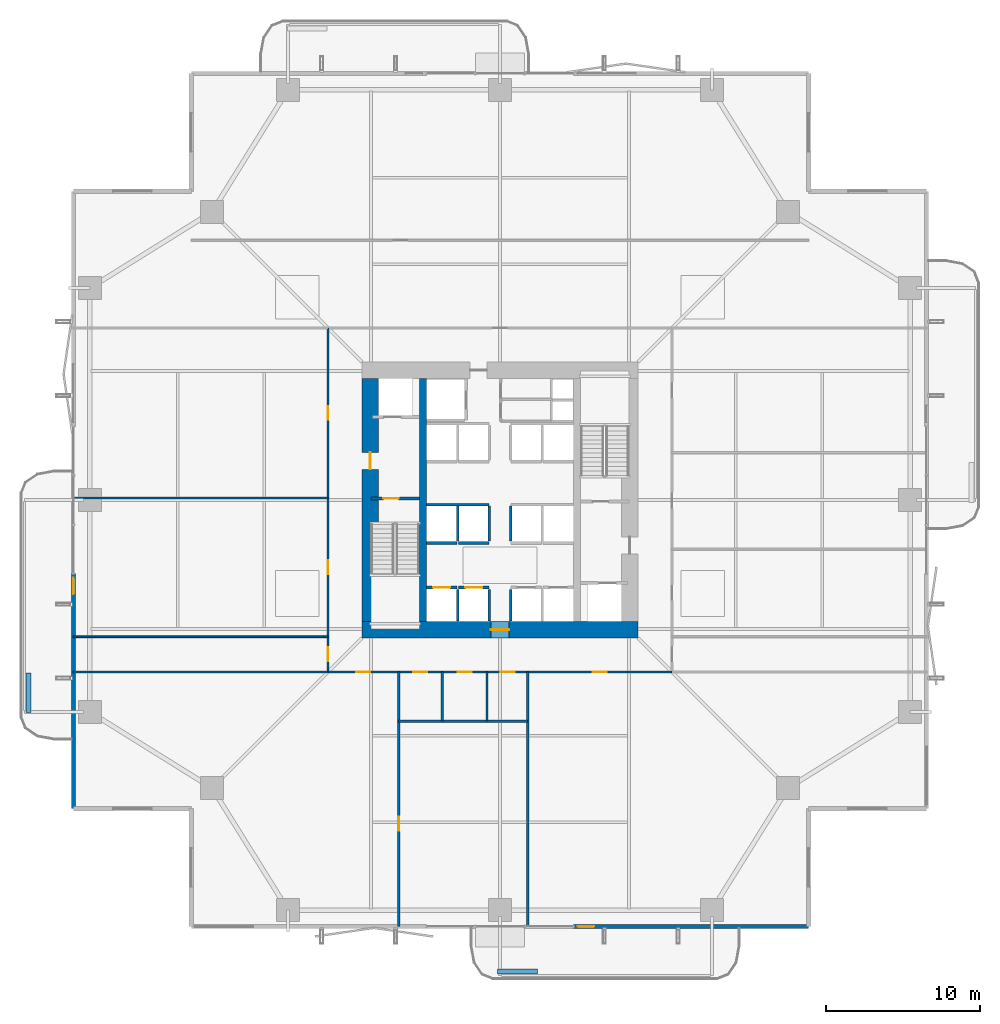
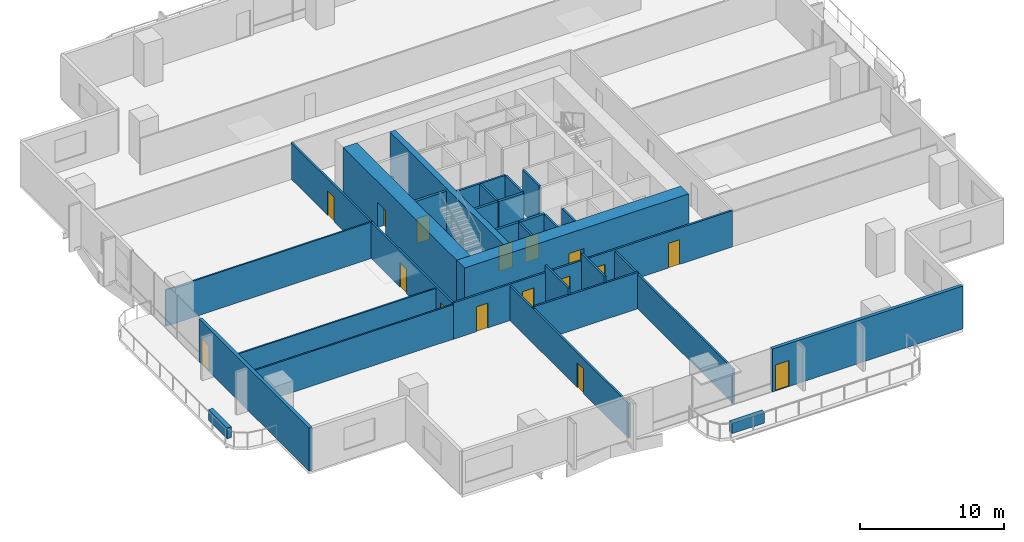
# One storey, part 17 of 24: 29 walls, 16 doors, 16 openings.
"""IFC4 building model written with IfcOpenShell, lengths in metres."""

from ifc_helpers import new_model, si_unit, direction, frame, frame_2d, origin, place, context, subcontext, project, spatial, rectangle, extrude, material, layer, layer_set, type_object, element, fill, save


model = new_model("IFC4")

# Units and contexts
model_context = context("Model", 3, precision=1e-05, world=origin(), true_north=direction((0.0, 1.0)))
body_context = subcontext(model_context, "Body", "Model", "MODEL_VIEW")
ifc_project = project(units=[si_unit("LENGTHUNIT", "METRE"), si_unit("AREAUNIT", "SQUARE_METRE"), si_unit("VOLUMEUNIT", "CUBIC_METRE"), si_unit("PLANEANGLEUNIT", "RADIAN"), si_unit("MASSUNIT", "GRAM", prefix="KILO")], contexts=[model_context])

# Site, building, storey
site_placement = place(None, origin())
site = spatial("IfcSite", under=ifc_project, at=site_placement, CompositionType="ELEMENT")
building_placement = place(site_placement, origin())
building = spatial("IfcBuilding", under=site, at=building_placement, Name="Belovzor Exchange Tower", CompositionType="ELEMENT")
storey_placement = place(building_placement, frame((0.0, 0.0, 92.39990234375)))
storey = spatial("IfcBuildingStorey", under=building, at=storey_placement, Name="L22", CompositionType="ELEMENT", Elevation=92.39990234375)

# Walls
ifc_material_1 = material(Name="Acoustic Plasterboard on Galvanised Studs", Category="gypsum")
ifc_layer_1 = layer(ifc_material_1, 0.1201171875)
ifc_layer_set_1 = layer_set([ifc_layer_1], Name="Acoustic Plasterboard on Galvanised Studs")
wall_type_1 = type_object("IfcWallType", Name="Acoustic Double-Stud Partition Wall 120", PredefinedType="PARTITIONING", material=ifc_layer_set_1)
for number, where, z_axis, x_axis, name in (
    (1, (1.030029296875, 17.60009765625, 0.0), (0.0, 0.0, 1.0), (1.0, 0.0, 0.0), "W-P120 Partition Wall W-L22-END-SW"),
    (2, (1.030029296875, 19.89990234375, 0.0), (0.0, 0.0, 1.0), (1.0, 0.0, 0.0), "W-P120 Partition Wall W-L22-WDIV-1"),
):
    element("IfcWall", number, at=place(storey_placement, frame(where, z_axis=z_axis, x_axis=x_axis)), inside=storey, type_object=wall_type_1, Name=name, PredefinedType="PARTITIONING", context=body_context, shape_type="SweptSolid", body=[
        extrude(rectangle(XDim=16.570068359375, YDim=0.1201171875, at=frame_2d((8.28515625, 0.0))), origin(), (0.0, 0.0, 1.0), 2.93505859375),
    ])
wall_1_placement = place(storey_placement, frame((1.030029296875, 28.929931640625, 0.0), z_axis=(0.0, 0.0, 1.0), x_axis=(1.0, 0.0, 0.0)))
element("IfcWall", 3, at=wall_1_placement, inside=storey, type_object=wall_type_1, Name="W-P120 Partition Wall W-L22-WDIV-2", PredefinedType="PARTITIONING", context=body_context, shape_type="SweptSolid", body=[
    extrude(rectangle(XDim=16.570068359375, YDim=0.1201171875, at=frame_2d((8.28515625, 0.0))), origin(), (0.0, 0.0, 1.0), 3.085205078125),
])
ifc_material_2 = material(Name="Fire-Rated Gypsum Block and Mineral Wool", Category="gypsum")
ifc_layer_2 = layer(ifc_material_2, 0.14990234375)
ifc_layer_set_2 = layer_set([ifc_layer_2], Name="Fire-Rated Gypsum Block and Mineral Wool")
wall_type_2 = type_object("IfcWallType", Name="Fire-Rated Gypsum Block Corridor Wall 150", PredefinedType="PARTITIONING", material=ifc_layer_set_2)
wall_2_placement = place(storey_placement, frame((22.199951171875, 14.39990234375, 0.0), z_axis=(0.0, 0.0, 1.0), x_axis=(1.0, 0.0, 0.0)))
element("IfcWall", 4, at=wall_2_placement, inside=storey, type_object=wall_type_2, Name="W-P150 Partition Wall W-L22-WCS", PredefinedType="PARTITIONING", context=body_context, shape_type="SweptSolid", body=[
    extrude(rectangle(XDim=8.400146484375, YDim=0.14990234375, at=frame_2d((4.2001953125, 0.0))), origin(), (0.0, 0.0, 1.0), 3.085205078125),
])

# Wall, opening, door
wall_3_placement = place(storey_placement, frame((22.199951171875, 1.030029296875, 0.0), z_axis=(0.0, 0.0, 1.0), x_axis=(0.0, 1.0, 0.0)))
wall_3 = element("IfcWall", 5, at=wall_3_placement, inside=storey, type_object=wall_type_2, Name="W-P150 Partition Wall W-L22-WCW", PredefinedType="PARTITIONING", context=body_context, shape_type="SweptSolid", body=[
    extrude(rectangle(XDim=16.570068359375, YDim=0.14990234375, at=frame_2d((8.28515625, 0.0))), origin(), (0.0, 0.0, 1.0), 2.93505859375),
])
opening_1_placement = place(wall_3_placement, frame((6.235107421875, 0.0, 0.0)))
opening_1 = element("IfcOpeningElement", 6, at=opening_1_placement, cuts=wall_3, Name="Opening D-INT-090", PredefinedType="OPENING", context=body_context, shape_type="SweptSolid", body=[
    extrude(rectangle(XDim=0.89990234375, YDim=2.10009765625, at=frame_2d((0.449951171875, 1.050048828125))), frame((0.0, 0.0849609375, 0.0), z_axis=(0.0, -1.0, 0.0), x_axis=(1.0, 0.0, 0.0)), (0.0, 0.0, 1.0), 0.169921875),
])
ifc_material_3 = material(Name="Veneered Hardwood Acoustic Leaf", Category="wood")
door_type_1 = type_object("IfcDoorType", Name="Trading Suite Acoustic Single Door 900x2100", OperationType="NOTDEFINED", PredefinedType="DOOR", material=ifc_material_3)
door_1_placement = place(opening_1_placement, origin())
door_1 = element("IfcDoor", 7, at=door_1_placement, inside=storey, type_object=door_type_1, Name="D-INT-090 Trading Suite Acoustic Single Door 900x2100", OperationType="SINGLE_SWING_LEFT", OverallHeight=2.10009765625, OverallWidth=0.89990234375, PredefinedType="DOOR", context=body_context, shape_type="SweptSolid", body=[
    extrude(rectangle(XDim=0.89990234375, YDim=2.10009765625, at=frame_2d((0.449951171875, 1.050048828125))), frame((0.0, 0.02490234375, 0.0), z_axis=(0.0, -1.0, 0.0), x_axis=(1.0, 0.0, 0.0)), (0.0, 0.0, 1.0), 0.050048828125),
])
fill(opening_1, door_1)

# Walls
wall_4_placement = place(storey_placement, frame((30.60009765625, 1.030029296875, 0.0), z_axis=(0.0, 0.0, 1.0), x_axis=(0.0, 1.0, 0.0)))
element("IfcWall", 8, at=wall_4_placement, inside=storey, type_object=wall_type_2, Name="W-P150 Partition Wall W-L22-WCE", PredefinedType="PARTITIONING", context=body_context, shape_type="SweptSolid", body=[
    extrude(rectangle(XDim=16.570068359375, YDim=0.14990234375, at=frame_2d((8.28515625, 0.0))), origin(), (0.0, 0.0, 1.0), 2.93505859375),
])
for number, where, z_axis, x_axis, name in (
    (9, (25.050048828125, 14.39990234375, 0.0), (0.0, 0.0, 1.0), (0.0, 1.0, 0.0), "W-P150 Partition Wall W-L22-WCD1"),
    (10, (27.949951171875, 14.39990234375, 0.0), (0.0, 0.0, 1.0), (0.0, 1.0, 0.0), "W-P150 Partition Wall W-L22-WCD2"),
):
    element("IfcWall", number, at=place(storey_placement, frame(where, z_axis=z_axis, x_axis=x_axis)), inside=storey, type_object=wall_type_2, Name=name, PredefinedType="PARTITIONING", context=body_context, shape_type="SweptSolid", body=[
        extrude(rectangle(XDim=3.2001953125, YDim=0.14990234375, at=frame_2d((1.60009765625, 0.0))), origin(), (0.0, 0.0, 1.0), 3.650146484375),
    ])

# Wall, openings, doors
wall_5_placement = place(storey_placement, frame((17.60009765625, 17.60009765625, 0.0), z_axis=(0.0, 0.0, 1.0), x_axis=(1.0, 0.0, 0.0)))
wall_5 = element("IfcWall", 11, at=wall_5_placement, inside=storey, type_object=wall_type_2, Name="W-P150 Partition Wall W-L22-CS", PredefinedType="PARTITIONING", context=body_context, shape_type="SweptSolid", body=[
    extrude(rectangle(XDim=22.39990234375, YDim=0.14990234375, at=frame_2d((11.199951171875, 0.0))), origin(), (0.0, 0.0, 1.0), 3.085205078125),
])
opening_2_placement = place(wall_5_placement, frame((1.85009765625, 0.0, 0.0)))
opening_2 = element("IfcOpeningElement", 12, at=opening_2_placement, cuts=wall_5, Name="Opening D-INT-090", PredefinedType="OPENING", context=body_context, shape_type="SweptSolid", body=[
    extrude(rectangle(XDim=0.89990234375, YDim=2.10009765625, at=frame_2d((0.449951171875, 1.050048828125))), frame((0.0, 0.0849609375, 0.0), z_axis=(0.0, -1.0, 0.0), x_axis=(1.0, 0.0, 0.0)), (0.0, 0.0, 1.0), 0.169921875),
])
opening_3_placement = place(wall_5_placement, frame((5.550048828125, 0.0, 0.0)))
opening_3 = element("IfcOpeningElement", 13, at=opening_3_placement, cuts=wall_5, Name="Opening D-FD60-090", PredefinedType="OPENING", context=body_context, shape_type="SweptSolid", body=[
    extrude(rectangle(XDim=0.89990234375, YDim=2.10009765625, at=frame_2d((0.449951171875, 1.050048828125))), frame((0.0, 0.0849609375, 0.0), z_axis=(0.0, -1.0, 0.0), x_axis=(1.0, 0.0, 0.0)), (0.0, 0.0, 1.0), 0.169921875),
])
opening_4_placement = place(wall_5_placement, frame((8.449951171875, 0.0, 0.0)))
opening_4 = element("IfcOpeningElement", 14, at=opening_4_placement, cuts=wall_5, Name="Opening D-FD60-090", PredefinedType="OPENING", context=body_context, shape_type="SweptSolid", body=[
    extrude(rectangle(XDim=0.89990234375, YDim=2.10009765625, at=frame_2d((0.449951171875, 1.050048828125))), frame((0.0, 0.0849609375, 0.0), z_axis=(0.0, -1.0, 0.0), x_axis=(1.0, 0.0, 0.0)), (0.0, 0.0, 1.0), 0.169921875),
])
opening_5_placement = place(wall_5_placement, frame((11.199951171875, 0.0, 0.0)))
opening_5 = element("IfcOpeningElement", 15, at=opening_5_placement, cuts=wall_5, Name="Opening D-FD60-095", PredefinedType="OPENING", context=body_context, shape_type="SweptSolid", body=[
    extrude(rectangle(XDim=0.949951171875, YDim=2.10009765625, at=frame_2d((0.47509765625, 1.050048828125))), frame((0.0, 0.0849609375, 0.0), z_axis=(0.0, -1.0, 0.0), x_axis=(1.0, 0.0, 0.0)), (0.0, 0.0, 1.0), 0.169921875),
])
opening_6_placement = place(wall_5_placement, frame((17.25, 0.0, 0.0)))
opening_6 = element("IfcOpeningElement", 16, at=opening_6_placement, cuts=wall_5, Name="Opening D-INT-090", PredefinedType="OPENING", context=body_context, shape_type="SweptSolid", body=[
    extrude(rectangle(XDim=0.89990234375, YDim=2.10009765625, at=frame_2d((0.449951171875, 1.050048828125))), frame((0.0, 0.0849609375, 0.0), z_axis=(0.0, -1.0, 0.0), x_axis=(1.0, 0.0, 0.0)), (0.0, 0.0, 1.0), 0.169921875),
])
ifc_material_4 = material(Name="Moisture-Resistant Timber Fire Leaf", Category="wood")
door_type_2 = type_object("IfcDoorType", Name="Accessible Restroom Wide Fire Door 950x2100", OperationType="NOTDEFINED", PredefinedType="DOOR", material=ifc_material_4)
door_2_placement = place(opening_5_placement, origin())
door_2 = element("IfcDoor", 17, at=door_2_placement, inside=storey, type_object=door_type_2, Name="D-FD60-095 Accessible Restroom Wide Fire Door 950x2100", OperationType="SINGLE_SWING_LEFT", OverallHeight=2.10009765625, OverallWidth=0.949951171875, PredefinedType="DOOR", context=body_context, shape_type="SweptSolid", body=[
    extrude(rectangle(XDim=0.949951171875, YDim=2.10009765625, at=frame_2d((0.47509765625, 1.050048828125))), frame((0.0, 0.02490234375, 0.0), z_axis=(0.0, -1.0, 0.0), x_axis=(1.0, 0.0, 0.0)), (0.0, 0.0, 1.0), 0.050048828125),
])
fill(opening_5, door_2)
ifc_material_5 = material(Name="Acoustic Timber Fire Leaf", Category="wood")
door_type_3 = type_object("IfcDoorType", Name="Core Service & Restroom Fire Door 900x2100", OperationType="NOTDEFINED", PredefinedType="DOOR", material=ifc_material_5)
door_3_placement = place(opening_3_placement, origin())
door_3 = element("IfcDoor", 18, at=door_3_placement, inside=storey, type_object=door_type_3, Name="D-FD60-090 Core Service & Restroom Fire Door 900x2100", OperationType="SINGLE_SWING_LEFT", OverallHeight=2.10009765625, OverallWidth=0.89990234375, PredefinedType="DOOR", context=body_context, shape_type="SweptSolid", body=[
    extrude(rectangle(XDim=0.89990234375, YDim=2.10009765625, at=frame_2d((0.449951171875, 1.050048828125))), frame((0.0, 0.02490234375, 0.0), z_axis=(0.0, -1.0, 0.0), x_axis=(1.0, 0.0, 0.0)), (0.0, 0.0, 1.0), 0.050048828125),
])
fill(opening_3, door_3)
door_4_placement = place(opening_4_placement, origin())
door_4 = element("IfcDoor", 19, at=door_4_placement, inside=storey, type_object=door_type_3, Name="D-FD60-090 Core Service & Restroom Fire Door 900x2100", OperationType="SINGLE_SWING_RIGHT", OverallHeight=2.10009765625, OverallWidth=0.89990234375, PredefinedType="DOOR", context=body_context, shape_type="SweptSolid", body=[
    extrude(rectangle(XDim=0.89990234375, YDim=2.10009765625, at=frame_2d((0.449951171875, 1.050048828125))), frame((0.0, 0.02490234375, 0.0), z_axis=(0.0, -1.0, 0.0), x_axis=(1.0, 0.0, 0.0)), (0.0, 0.0, 1.0), 0.050048828125),
])
fill(opening_4, door_4)
door_5_placement = place(opening_2_placement, origin())
door_5 = element("IfcDoor", 20, at=door_5_placement, inside=storey, type_object=door_type_1, Name="D-INT-090 Trading Suite Acoustic Single Door 900x2100", OperationType="SINGLE_SWING_LEFT", OverallHeight=2.10009765625, OverallWidth=0.89990234375, PredefinedType="DOOR", context=body_context, shape_type="SweptSolid", body=[
    extrude(rectangle(XDim=0.89990234375, YDim=2.10009765625, at=frame_2d((0.449951171875, 1.050048828125))), frame((0.0, 0.02490234375, 0.0), z_axis=(0.0, -1.0, 0.0), x_axis=(1.0, 0.0, 0.0)), (0.0, 0.0, 1.0), 0.050048828125),
])
fill(opening_2, door_5)
door_6_placement = place(opening_6_placement, origin())
door_6 = element("IfcDoor", 21, at=door_6_placement, inside=storey, type_object=door_type_1, Name="D-INT-090 Trading Suite Acoustic Single Door 900x2100", OperationType="SINGLE_SWING_RIGHT", OverallHeight=2.10009765625, OverallWidth=0.89990234375, PredefinedType="DOOR", context=body_context, shape_type="SweptSolid", body=[
    extrude(rectangle(XDim=0.89990234375, YDim=2.10009765625, at=frame_2d((0.449951171875, 1.050048828125))), frame((0.0, 0.02490234375, 0.0), z_axis=(0.0, -1.0, 0.0), x_axis=(1.0, 0.0, 0.0)), (0.0, 0.0, 1.0), 0.050048828125),
])
fill(opening_6, door_6)

wall_6_placement = place(storey_placement, frame((17.60009765625, 17.60009765625, 0.0), z_axis=(0.0, 0.0, 1.0), x_axis=(0.0, 1.0, 0.0)))
wall_6 = element("IfcWall", 22, at=wall_6_placement, inside=storey, type_object=wall_type_2, Name="W-P150 Partition Wall W-L22-CW", PredefinedType="PARTITIONING", context=body_context, shape_type="SweptSolid", body=[
    extrude(rectangle(XDim=22.39990234375, YDim=0.14990234375, at=frame_2d((11.199951171875, 0.0))), origin(), (0.0, 0.0, 1.0), 3.085205078125),
])
opening_7_placement = place(wall_6_placement, frame((0.699951171875, 0.0, 0.0)))
opening_7 = element("IfcOpeningElement", 23, at=opening_7_placement, cuts=wall_6, Name="Opening D-INT-090", PredefinedType="OPENING", context=body_context, shape_type="SweptSolid", body=[
    extrude(rectangle(XDim=0.89990234375, YDim=2.10009765625, at=frame_2d((0.449951171875, 1.050048828125))), frame((0.0, 0.0849609375, 0.0), z_axis=(0.0, -1.0, 0.0), x_axis=(1.0, 0.0, 0.0)), (0.0, 0.0, 1.0), 0.169921875),
])
opening_8_placement = place(wall_6_placement, frame((6.364990234375, 0.0, 0.0)))
opening_8 = element("IfcOpeningElement", 24, at=opening_8_placement, cuts=wall_6, Name="Opening D-INT-090", PredefinedType="OPENING", context=body_context, shape_type="SweptSolid", body=[
    extrude(rectangle(XDim=0.89990234375, YDim=2.10009765625, at=frame_2d((0.449951171875, 1.050048828125))), frame((0.0, 0.0849609375, 0.0), z_axis=(0.0, -1.0, 0.0), x_axis=(1.0, 0.0, 0.0)), (0.0, 0.0, 1.0), 0.169921875),
])
opening_9_placement = place(wall_6_placement, frame((16.4150390625, 0.0, 0.0)))
opening_9 = element("IfcOpeningElement", 25, at=opening_9_placement, cuts=wall_6, Name="Opening D-INT-090", PredefinedType="OPENING", context=body_context, shape_type="SweptSolid", body=[
    extrude(rectangle(XDim=0.89990234375, YDim=2.10009765625, at=frame_2d((0.449951171875, 1.050048828125))), frame((0.0, 0.0849609375, 0.0), z_axis=(0.0, -1.0, 0.0), x_axis=(1.0, 0.0, 0.0)), (0.0, 0.0, 1.0), 0.169921875),
])
door_7_placement = place(opening_7_placement, origin())
door_7 = element("IfcDoor", 26, at=door_7_placement, inside=storey, type_object=door_type_1, Name="D-INT-090 Trading Suite Acoustic Single Door 900x2100", OperationType="SINGLE_SWING_LEFT", OverallHeight=2.10009765625, OverallWidth=0.89990234375, PredefinedType="DOOR", context=body_context, shape_type="SweptSolid", body=[
    extrude(rectangle(XDim=0.89990234375, YDim=2.10009765625, at=frame_2d((0.449951171875, 1.050048828125))), frame((0.0, 0.02490234375, 0.0), z_axis=(0.0, -1.0, 0.0), x_axis=(1.0, 0.0, 0.0)), (0.0, 0.0, 1.0), 0.050048828125),
])
fill(opening_7, door_7)
door_8_placement = place(opening_8_placement, origin())
door_8 = element("IfcDoor", 27, at=door_8_placement, inside=storey, type_object=door_type_1, Name="D-INT-090 Trading Suite Acoustic Single Door 900x2100", OperationType="SINGLE_SWING_RIGHT", OverallHeight=2.10009765625, OverallWidth=0.89990234375, PredefinedType="DOOR", context=body_context, shape_type="SweptSolid", body=[
    extrude(rectangle(XDim=0.89990234375, YDim=2.10009765625, at=frame_2d((0.449951171875, 1.050048828125))), frame((0.0, 0.02490234375, 0.0), z_axis=(0.0, -1.0, 0.0), x_axis=(1.0, 0.0, 0.0)), (0.0, 0.0, 1.0), 0.050048828125),
])
fill(opening_8, door_8)
door_9_placement = place(opening_9_placement, origin())
door_9 = element("IfcDoor", 28, at=door_9_placement, inside=storey, type_object=door_type_1, Name="D-INT-090 Trading Suite Acoustic Single Door 900x2100", OperationType="SINGLE_SWING_LEFT", OverallHeight=2.10009765625, OverallWidth=0.89990234375, PredefinedType="DOOR", context=body_context, shape_type="SweptSolid", body=[
    extrude(rectangle(XDim=0.89990234375, YDim=2.10009765625, at=frame_2d((0.449951171875, 1.050048828125))), frame((0.0, 0.02490234375, 0.0), z_axis=(0.0, -1.0, 0.0), x_axis=(1.0, 0.0, 0.0)), (0.0, 0.0, 1.0), 0.050048828125),
])
fill(opening_9, door_9)

# Wall, opening, door
ifc_material_6 = material(Name="Precast concrete C40/50", Category="concrete")
ifc_layer_3 = layer(ifc_material_6, 0.260009765625)
ifc_layer_set_3 = layer_set([ifc_layer_3], Name="Precast concrete C40/50")
wall_type_3 = type_object("IfcWallType", Name="Precast Concrete Perimeter Loggia Frame Wall 260", PredefinedType="SOLIDWALL", material=ifc_layer_set_3)
wall_7_placement = place(storey_placement, frame((48.89990234375, 1.030029296875, 0.0), z_axis=(0.0, 0.0, 1.0), x_axis=(-1.0, 0.0, 0.0)))
wall_7 = element("IfcWall", 29, at=wall_7_placement, inside=storey, type_object=wall_type_3, Name="W-EXT260 Precast Concrete Perimeter Loggia Frame Wall 260 L22", PredefinedType="SOLIDWALL", context=body_context, shape_type="SweptSolid", body=[
    extrude(rectangle(XDim=15.2998046875, YDim=0.260009765625, at=frame_2d((7.64990234375, 0.0))), origin(), (0.0, 0.0, 1.0), 3.650146484375),
])
opening_10_placement = place(wall_7_placement, frame((13.949951171875, 0.0, 0.0)))
opening_10 = element("IfcOpeningElement", 30, at=opening_10_placement, cuts=wall_7, Name="Opening D-BAL110", PredefinedType="OPENING", context=body_context, shape_type="SweptSolid", body=[
    extrude(rectangle(XDim=1.10009765625, YDim=2.199951171875, at=frame_2d((0.550048828125, 1.10009765625))), frame((0.0, 0.139892578125, 0.0), z_axis=(0.0, -1.0, 0.0), x_axis=(1.0, 0.0, 0.0)), (0.0, 0.0, 1.0), 0.280029296875),
])
ifc_material_7 = material(Name="Thermally Broken Anodised Aluminium and Laminated Glass", Category="aluminium")
door_type_4 = type_object("IfcDoorType", Name="Planted Loggia Terrace Glazed Door 1100x2200", OperationType="SINGLE_SWING_LEFT", PredefinedType="DOOR", material=ifc_material_7)
door_10_placement = place(opening_10_placement, origin())
door_10 = element("IfcDoor", 31, at=door_10_placement, inside=storey, type_object=door_type_4, Name="D-BAL110 Balcony Terrace Door L22 S", OperationType="SINGLE_SWING_LEFT", OverallHeight=2.199951171875, OverallWidth=1.10009765625, PredefinedType="DOOR", context=body_context, shape_type="SweptSolid", body=[
    extrude(rectangle(XDim=1.10009765625, YDim=2.199951171875, at=frame_2d((0.550048828125, 1.10009765625))), frame((0.0, 0.02490234375, 0.0), z_axis=(0.0, -1.0, 0.0), x_axis=(1.0, 0.0, 0.0)), (0.0, 0.0, 1.0), 0.050048828125),
])
fill(opening_10, door_10)

wall_8_placement = place(storey_placement, frame((1.030029296875, 8.699951171875, 0.0), z_axis=(0.0, 0.0, 1.0), x_axis=(0.0, 1.0, 0.0)))
wall_8 = element("IfcWall", 32, at=wall_8_placement, inside=storey, type_object=wall_type_3, Name="W-EXT260 Precast Concrete Perimeter Loggia Frame Wall 260 L22", PredefinedType="SOLIDWALL", context=body_context, shape_type="SweptSolid", body=[
    extrude(rectangle(XDim=15.300048828125, YDim=0.260009765625, at=frame_2d((7.64990234375, 0.0))), origin(), (0.0, 0.0, 1.0), 3.650146484375),
])
opening_11_placement = place(wall_8_placement, frame((13.949951171875, 0.0, 0.0)))
opening_11 = element("IfcOpeningElement", 33, at=opening_11_placement, cuts=wall_8, Name="Opening D-BAL110", PredefinedType="OPENING", context=body_context, shape_type="SweptSolid", body=[
    extrude(rectangle(XDim=1.10009765625, YDim=2.199951171875, at=frame_2d((0.550048828125, 1.10009765625))), frame((0.0, 0.139892578125, 0.0), z_axis=(0.0, -1.0, 0.0), x_axis=(1.0, 0.0, 0.0)), (0.0, 0.0, 1.0), 0.280029296875),
])
door_11_placement = place(opening_11_placement, origin())
door_11 = element("IfcDoor", 34, at=door_11_placement, inside=storey, type_object=door_type_4, Name="D-BAL110 Balcony Terrace Door L22 W", OperationType="SINGLE_SWING_RIGHT", OverallHeight=2.199951171875, OverallWidth=1.10009765625, PredefinedType="DOOR", context=body_context, shape_type="SweptSolid", body=[
    extrude(rectangle(XDim=1.10009765625, YDim=2.199951171875, at=frame_2d((0.550048828125, 1.10009765625))), frame((0.0, 0.02490234375, 0.0), z_axis=(0.0, -1.0, 0.0), x_axis=(1.0, 0.0, 0.0)), (0.0, 0.0, 1.0), 0.050048828125),
])
fill(opening_11, door_11)

# Walls
ifc_material_8 = material(Name="Precast concrete C40/50", Category="concrete")
ifc_layer_4 = layer(ifc_material_8, 0.35009765625)
ifc_layer_set_4 = layer_set([ifc_layer_4], Name="Precast concrete C40/50")
wall_type_4 = type_object("IfcWallType", Name="Precast Concrete Structural Tree Planter Trough 350", PredefinedType="PARAPET", material=ifc_layer_set_4)
for number, where, z_axis, x_axis, name in (
    (35, (28.64990234375, -1.89990234375, 0.0), (0.0, 0.0, 1.0), (1.0, 0.0, 0.0), "PT-350 Precast Concrete Structural Tree Planter Trough 350 L22"),
    (36, (-1.89990234375, 14.949951171875, 0.0), (0.0, 0.0, 1.0), (0.0, 1.0, 0.0), "PT-350 Precast Concrete Structural Tree Planter Trough 350 L22"),
):
    element("IfcWall", number, at=place(storey_placement, frame(where, z_axis=z_axis, x_axis=x_axis)), inside=storey, type_object=wall_type_4, Name=name, PredefinedType="PARAPET", context=body_context, shape_type="SweptSolid", body=[
        extrude(rectangle(XDim=2.60009765625, YDim=0.35009765625, at=frame_2d((1.300048828125, 0.0))), origin(), (0.0, 0.0, 1.0), 0.900146484375),
    ])
ifc_material_9 = material(Name="Concrete C50/60", Category="concrete")
ifc_layer_5 = layer(ifc_material_9, 0.449951171875)
ifc_layer_set_5 = layer_set([ifc_layer_5], Name="Concrete C50/60")
wall_type_5 = type_object("IfcWallType", Name="Reinforced Concrete Core Internal Web Wall 450", PredefinedType="SHEAR", material=ifc_layer_set_5)
wall_9_placement = place(storey_placement, frame((23.77490234375, 20.89990234375, 0.0), z_axis=(0.0, 0.0, 1.0), x_axis=(0.0, 1.0, 0.0)))
element("IfcWall", 37, at=wall_9_placement, inside=storey, type_object=wall_type_5, Name="CW-W045 Core Internal Web Wall L22 WL", PredefinedType="SHEAR", context=body_context, shape_type="SweptSolid", body=[
    extrude(rectangle(XDim=15.800048828125, YDim=0.449951171875, at=frame_2d((7.89990234375, 0.0))), origin(), (0.0, 0.0, 1.0), 3.900146484375),
])
ifc_material_10 = material(Name="Concrete C50/60", Category="concrete")
ifc_layer_6 = layer(ifc_material_10, 0.14990234375)
ifc_layer_set_6 = layer_set([ifc_layer_6], Name="Concrete C50/60")
wall_type_6 = type_object("IfcWallType", Name="Reinforced Concrete Core Riser Shear Wall 150", PredefinedType="SHEAR", material=ifc_layer_set_6)
for number, where, z_axis, x_axis, name in (
    (38, (26.050048828125, 20.919921875, 0.0), (0.0, 0.0, 1.0), (0.0, 1.0, 0.0), "W-C150S Core Shaft Wall W-SHD-L22-PLL-1"),
    (39, (28.10009765625, 20.919921875, 0.0), (0.0, 0.0, 1.0), (0.0, 1.0, 0.0), "W-C150S Core Shaft Wall W-SHD-L22-PLL-2"),
    (40, (29.5, 20.919921875, 0.0), (0.0, 0.0, 1.0), (0.0, 1.0, 0.0), "W-C150S Core Shaft Wall W-SHD-L22-PLL-3"),
):
    element("IfcWall", number, at=place(storey_placement, frame(where, z_axis=z_axis, x_axis=x_axis)), inside=storey, type_object=wall_type_6, Name=name, PredefinedType="SHEAR", context=body_context, shape_type="SweptSolid", body=[
        extrude(rectangle(XDim=2.06005859375, YDim=0.14990234375, at=frame_2d((1.030029296875, 0.0))), origin(), (0.0, 0.0, 1.0), 3.650146484375),
    ])
wall_10_placement = place(storey_placement, frame((24.02001953125, 28.5, 0.0), z_axis=(0.0, 0.0, 1.0), x_axis=(1.0, 0.0, 0.0)))
element("IfcWall", 41, at=wall_10_placement, inside=storey, type_object=wall_type_6, Name="W-C150S Core Shaft Wall W-SHB-L22-PLM-NW", PredefinedType="SHEAR", context=body_context, shape_type="SweptSolid", body=[
    extrude(rectangle(XDim=4.080078125, YDim=0.14990234375, at=frame_2d((2.0400390625, 0.0))), origin(), (0.0, 0.0, 1.0), 3.650146484375),
])
for number, where, z_axis, x_axis, name in (
    (42, (26.050048828125, 26.1201171875, 0.0), (0.0, 0.0, 1.0), (0.0, 1.0, 0.0), "W-C150S Core Shaft Wall W-SHD-L22-PLM-1"),
    (43, (28.10009765625, 26.1201171875, 0.0), (0.0, 0.0, 1.0), (0.0, 1.0, 0.0), "W-C150S Core Shaft Wall W-SHD-L22-PLM-2"),
    (44, (29.5, 26.1201171875, 0.0), (0.0, 0.0, 1.0), (0.0, 1.0, 0.0), "W-C150S Core Shaft Wall W-SHD-L22-PLM-3"),
):
    element("IfcWall", number, at=place(storey_placement, frame(where, z_axis=z_axis, x_axis=x_axis)), inside=storey, type_object=wall_type_6, Name=name, PredefinedType="SHEAR", context=body_context, shape_type="SweptSolid", body=[
        extrude(rectangle(XDim=2.27978515625, YDim=0.14990234375, at=frame_2d((1.139892578125, 0.0))), origin(), (0.0, 0.0, 1.0), 3.650146484375),
    ])

# Wall, opening, door
ifc_material_11 = material(Name="Concrete C50/60", Category="concrete")
ifc_layer_7 = layer(ifc_material_11, 0.199951171875)
ifc_layer_set_7 = layer_set([ifc_layer_7], Name="Concrete C50/60")
wall_type_7 = type_object("IfcWallType", Name="Reinforced Concrete Core Shaft Shear Wall 200", PredefinedType="SHEAR", material=ifc_layer_set_7)
wall_11_placement = place(storey_placement, frame((20.39990234375, 28.89990234375, 0.0), z_axis=(0.0, 0.0, 1.0), x_axis=(1.0, 0.0, 0.0)))
wall_11 = element("IfcWall", 45, at=wall_11_placement, inside=storey, type_object=wall_type_7, Name="W-C200S Core Shaft Wall W-CORE-L22-FFLW1", PredefinedType="SHEAR", context=body_context, shape_type="SweptSolid", body=[
    extrude(rectangle(XDim=3.150146484375, YDim=0.199951171875, at=frame_2d((1.5751953125, 0.0))), origin(), (0.0, 0.0, 1.0), 3.650146484375),
])
opening_12_placement = place(wall_11_placement, frame((0.800048828125, 0.0, 0.0)))
opening_12 = element("IfcOpeningElement", 46, at=opening_12_placement, cuts=wall_11, Name="Opening D-FD90-100", PredefinedType="OPENING", context=body_context, shape_type="SweptSolid", body=[
    extrude(rectangle(XDim=1.0, YDim=2.10009765625, at=frame_2d((0.5, 1.050048828125))), frame((0.0, 0.10986328125, 0.0), z_axis=(0.0, -1.0, 0.0), x_axis=(1.0, 0.0, 0.0)), (0.0, 0.0, 1.0), 0.219970703125),
])
ifc_material_12 = material(Name="Fire-Rated Galvanised Steel Leaf", Category="steel")
door_type_5 = type_object("IfcDoorType", Name="Protected Stairwell Single Fire Door 1000x2100", OperationType="NOTDEFINED", PredefinedType="DOOR", material=ifc_material_12)
door_12_placement = place(opening_12_placement, origin())
door_12 = element("IfcDoor", 47, at=door_12_placement, inside=storey, type_object=door_type_5, Name="D-FD90-100 Protected Stairwell Single Fire Door 1000x2100", OperationType="SINGLE_SWING_RIGHT", OverallHeight=2.10009765625, OverallWidth=1.0, PredefinedType="DOOR", context=body_context, shape_type="SweptSolid", body=[
    extrude(rectangle(XDim=1.0, YDim=2.10009765625, at=frame_2d((0.5, 1.050048828125))), frame((0.0, 0.02490234375, 0.0), z_axis=(0.0, -1.0, 0.0), x_axis=(1.0, 0.0, 0.0)), (0.0, 0.0, 1.0), 0.050048828125),
])
fill(opening_12, door_12)

wall_12_placement = place(storey_placement, frame((24.0, 23.10009765625, 0.0), z_axis=(0.0, 0.0, 1.0), x_axis=(1.0, 0.0, 0.0)))
wall_12 = element("IfcWall", 48, at=wall_12_placement, inside=storey, type_object=wall_type_7, Name="W-C200S Core Shaft Wall W-SH-L22-PL-L1", PredefinedType="SHEAR", context=body_context, shape_type="SweptSolid", body=[
    extrude(rectangle(XDim=2.0, YDim=0.199951171875, at=frame_2d((1.0, 0.0))), origin(), (0.0, 0.0, 1.0), 3.650146484375),
])
opening_13_placement = place(wall_12_placement, frame((0.449951171875, 0.0, 0.0)))
opening_13 = element("IfcOpeningElement", 49, at=opening_13_placement, cuts=wall_12, Name="Opening LD-110", PredefinedType="OPENING", context=body_context, shape_type="SweptSolid", body=[
    extrude(rectangle(XDim=1.10009765625, YDim=2.14990234375, at=frame_2d((0.550048828125, 1.074951171875))), frame((0.0, 0.10986328125, 0.0), z_axis=(0.0, -1.0, 0.0), x_axis=(1.0, 0.0, 0.0)), (0.0, 0.0, 1.0), 0.219970703125),
])
ifc_material_13 = material(Name="Stainless Steel Grade 304", Category="steel")
door_type_6 = type_object("IfcDoorType", Name="Automated Stainless Steel Lift Landing Door 1100x2150", OperationType="SLIDING_TO_RIGHT", PredefinedType="DOOR", material=ifc_material_13)
door_13_placement = place(opening_13_placement, origin())
door_13 = element("IfcDoor", 50, at=door_13_placement, inside=storey, type_object=door_type_6, Name="LD-110 Automated Stainless Steel Lift Landing Door 1100x2150", OperationType="SLIDING_TO_RIGHT", OverallHeight=2.14990234375, OverallWidth=1.10009765625, PredefinedType="DOOR", context=body_context, shape_type="SweptSolid", body=[
    extrude(rectangle(XDim=1.10009765625, YDim=2.14990234375, at=frame_2d((0.550048828125, 1.074951171875))), frame((0.0, 0.02490234375, 0.0), z_axis=(0.0, -1.0, 0.0), x_axis=(1.0, 0.0, 0.0)), (0.0, 0.0, 1.0), 0.050048828125),
])
fill(opening_13, door_13)

wall_13_placement = place(storey_placement, frame((26.10009765625, 23.10009765625, 0.0), z_axis=(0.0, 0.0, 1.0), x_axis=(1.0, 0.0, 0.0)))
wall_13 = element("IfcWall", 51, at=wall_13_placement, inside=storey, type_object=wall_type_7, Name="W-C200S Core Shaft Wall W-SH-L22-PL-L2", PredefinedType="SHEAR", context=body_context, shape_type="SweptSolid", body=[
    extrude(rectangle(XDim=2.0, YDim=0.199951171875, at=frame_2d((1.0, 0.0))), origin(), (0.0, 0.0, 1.0), 3.650146484375),
])
opening_14_placement = place(wall_13_placement, frame((0.449951171875, 0.0, 0.0)))
opening_14 = element("IfcOpeningElement", 52, at=opening_14_placement, cuts=wall_13, Name="Opening LD-110", PredefinedType="OPENING", context=body_context, shape_type="SweptSolid", body=[
    extrude(rectangle(XDim=1.10009765625, YDim=2.14990234375, at=frame_2d((0.550048828125, 1.074951171875))), frame((0.0, 0.10986328125, 0.0), z_axis=(0.0, -1.0, 0.0), x_axis=(1.0, 0.0, 0.0)), (0.0, 0.0, 1.0), 0.219970703125),
])
door_14_placement = place(opening_14_placement, origin())
door_14 = element("IfcDoor", 53, at=door_14_placement, inside=storey, type_object=door_type_6, Name="LD-110 Automated Stainless Steel Lift Landing Door 1100x2150", OperationType="SLIDING_TO_RIGHT", OverallHeight=2.14990234375, OverallWidth=1.10009765625, PredefinedType="DOOR", context=body_context, shape_type="SweptSolid", body=[
    extrude(rectangle(XDim=1.10009765625, YDim=2.14990234375, at=frame_2d((0.550048828125, 1.074951171875))), frame((0.0, 0.02490234375, 0.0), z_axis=(0.0, -1.0, 0.0), x_axis=(1.0, 0.0, 0.0)), (0.0, 0.0, 1.0), 0.050048828125),
])
fill(opening_14, door_14)

# Walls
for number, where, z_axis, x_axis, name in (
    (54, (24.0, 26.0, 0.0), (0.0, 0.0, 1.0), (1.0, 0.0, 0.0), "W-C200S Core Shaft Wall W-SH-L22-PL-M1"),
    (55, (26.10009765625, 26.0, 0.0), (0.0, 0.0, 1.0), (1.0, 0.0, 0.0), "W-C200S Core Shaft Wall W-SH-L22-PL-M2"),
):
    element("IfcWall", number, at=place(storey_placement, frame(where, z_axis=z_axis, x_axis=x_axis)), inside=storey, type_object=wall_type_7, Name=name, PredefinedType="SHEAR", context=body_context, shape_type="SweptSolid", body=[
        extrude(rectangle(XDim=2.0, YDim=0.199951171875, at=frame_2d((1.0, 0.0))), origin(), (0.0, 0.0, 1.0), 3.650146484375),
    ])

# Wall, opening, door
ifc_material_14 = material(Name="Concrete C60/75", Category="concrete")
ifc_layer_8 = layer(ifc_material_14, 1.10009765625)
ifc_layer_set_8 = layer_set([ifc_layer_8], Name="Concrete C60/75")
wall_type_8 = type_object("IfcWallType", Name="Reinforced Concrete Core Shear Wall 1100", PredefinedType="SHEAR", material=ifc_layer_set_8)
wall_14_placement = place(storey_placement, frame((19.800048828125, 20.35009765625, 0.0), z_axis=(0.0, 0.0, 1.0), x_axis=(1.0, 0.0, 0.0)))
wall_14 = element("IfcWall", 56, at=wall_14_placement, inside=storey, type_object=wall_type_8, Name="CW-S110 Core Shear Wall L22 S", PredefinedType="SHEAR", context=body_context, shape_type="SweptSolid", body=[
    extrude(rectangle(XDim=18.0, YDim=1.10009765625, at=frame_2d((9.0, 0.0))), origin(), (0.0, 0.0, 1.0), 3.900146484375),
])
opening_15_placement = place(wall_14_placement, frame((8.39990234375, 0.0, 0.0)))
opening_15 = element("IfcOpeningElement", 57, at=opening_15_placement, cuts=wall_14, Name="Opening D-FD90-120", PredefinedType="OPENING", context=body_context, shape_type="SweptSolid", body=[
    extrude(rectangle(XDim=1.199951171875, YDim=2.199951171875, at=frame_2d((0.60009765625, 1.10009765625))), frame((0.0, 0.56005859375, 0.0), z_axis=(0.0, -1.0, 0.0), x_axis=(1.0, 0.0, 0.0)), (0.0, 0.0, 1.0), 1.1201171875),
])
ifc_material_15 = material(Name="Fire-Rated Galvanised Steel Leaf", Category="steel")
door_type_7 = type_object("IfcDoorType", Name="Heavy Plant & Foyer Fire Door 1200x2200", OperationType="NOTDEFINED", PredefinedType="DOOR", material=ifc_material_15)
door_15_placement = place(opening_15_placement, origin())
door_15 = element("IfcDoor", 58, at=door_15_placement, inside=storey, type_object=door_type_7, Name="D-FD90-120 Heavy Plant & Foyer Fire Door 1200x2200", OperationType="SINGLE_SWING_LEFT", OverallHeight=2.199951171875, OverallWidth=1.199951171875, PredefinedType="DOOR", context=body_context, shape_type="SweptSolid", body=[
    extrude(rectangle(XDim=1.199951171875, YDim=2.199951171875, at=frame_2d((0.60009765625, 1.10009765625))), frame((0.0, 0.02490234375, 0.0), z_axis=(0.0, -1.0, 0.0), x_axis=(1.0, 0.0, 0.0)), (0.0, 0.0, 1.0), 0.050048828125),
])
fill(opening_15, door_15)

wall_15_placement = place(storey_placement, frame((20.35009765625, 20.89990234375, 0.0), z_axis=(0.0, 0.0, 1.0), x_axis=(0.0, 1.0, 0.0)))
wall_15 = element("IfcWall", 59, at=wall_15_placement, inside=storey, type_object=wall_type_8, Name="CW-S110 Core Shear Wall L22 W", PredefinedType="SHEAR", context=body_context, shape_type="SweptSolid", body=[
    extrude(rectangle(XDim=15.800048828125, YDim=1.10009765625, at=frame_2d((7.89990234375, 0.0))), origin(), (0.0, 0.0, 1.0), 3.900146484375),
])
opening_16_placement = place(wall_15_placement, frame((9.89990234375, 0.0, 0.0)))
opening_16 = element("IfcOpeningElement", 60, at=opening_16_placement, cuts=wall_15, Name="Opening D-FD90-110", PredefinedType="OPENING", context=body_context, shape_type="SweptSolid", body=[
    extrude(rectangle(XDim=1.10009765625, YDim=2.14990234375, at=frame_2d((0.550048828125, 1.074951171875))), frame((0.0, 0.56005859375, 0.0), z_axis=(0.0, -1.0, 0.0), x_axis=(1.0, 0.0, 0.0)), (0.0, 0.0, 1.0), 1.1201171875),
])
ifc_material_16 = material(Name="Fire-Rated Galvanised Steel Leaf", Category="steel")
door_type_8 = type_object("IfcDoorType", Name="Protected Escape Vestibule Fire Door 1100x2150", OperationType="NOTDEFINED", PredefinedType="DOOR", material=ifc_material_16)
door_16_placement = place(opening_16_placement, origin())
door_16 = element("IfcDoor", 61, at=door_16_placement, inside=storey, type_object=door_type_8, Name="D-FD90-110 Protected Escape Vestibule Fire Door 1100x2150", OperationType="SINGLE_SWING_LEFT", OverallHeight=2.14990234375, OverallWidth=1.10009765625, PredefinedType="DOOR", context=body_context, shape_type="SweptSolid", body=[
    extrude(rectangle(XDim=1.10009765625, YDim=2.14990234375, at=frame_2d((0.550048828125, 1.074951171875))), frame((0.0, 0.02490234375, 0.0), z_axis=(0.0, -1.0, 0.0), x_axis=(1.0, 0.0, 0.0)), (0.0, 0.0, 1.0), 0.050048828125),
])
fill(opening_16, door_16)

save(model, "model.ifc")
